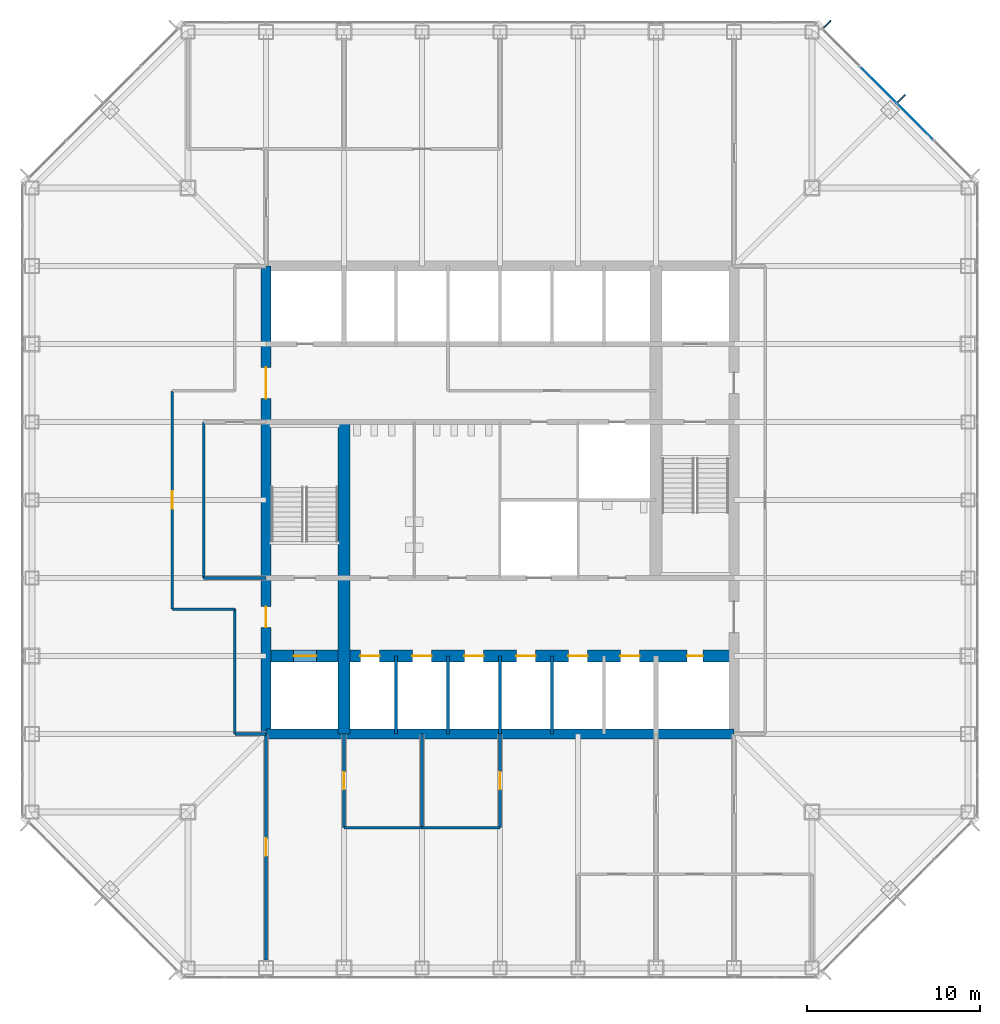
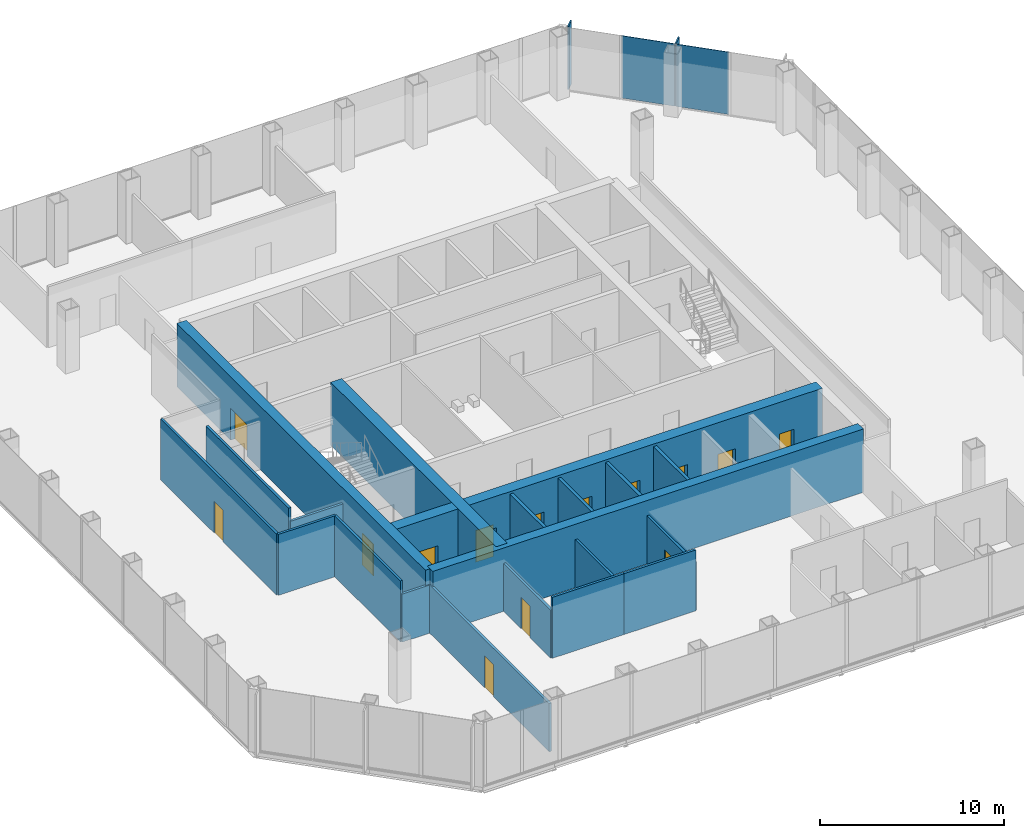
# One storey, part 8 of 12: 20 walls, 14 doors, 4 plates, 14 openings, 1 element without a shape of its own.
"""IFC4 building model written with IfcOpenShell, lengths in metres."""

import ifcopenshell
import ifcopenshell.guid

model = None  # the IFC model being written
_history = None  # IfcOwnerHistory: only IFC2X3 demands one
_inside = {}  # id of a spatial element -> (the spatial element, [elements in it])
_under = {}  # id of a project, library or spatial element -> (it, [spatial elements below it])
_declared = {}  # id of a project -> (the project, [libraries it declares])
_typed = {}  # id of a type object -> (the type object, [elements of that type])
_made_of = {}  # id of a material, layer set ... -> (it, [elements and type objects made of it])


def new_model(schema):
    """Start an empty IFC model of exactly this schema.

    Asked for "IFC4X3", IfcOpenShell would pick the latest addendum, in which some entities
    have other attributes; the version numbers below select the first issue.
    IFC2X3 requires an IfcOwnerHistory on every rooted entity: one is made here for all.
    """
    global model, _history
    if schema == "IFC4X3":
        model = ifcopenshell.file(schema_version=(4, 3, 0, 0))
    else:
        model = ifcopenshell.file(schema=schema)
    _inside.clear()
    _under.clear()
    _declared.clear()
    _typed.clear()
    _made_of.clear()
    _history = None
    if model.schema == "IFC2X3":
        org = make("IfcOrganization", Name="unknown")
        user = make(
            "IfcPersonAndOrganization",
            ThePerson=make("IfcPerson", FamilyName="unknown"),
            TheOrganization=org,
        )
        app = make(
            "IfcApplication",
            ApplicationDeveloper=org,
            Version="unknown",
            ApplicationFullName="unknown",
            ApplicationIdentifier="unknown",
        )
        _history = make(
            "IfcOwnerHistory",
            OwningUser=user,
            OwningApplication=app,
            ChangeAction="ADDED",
            CreationDate=0,
        )
    return model


def make(cls, **values):
    """One entity of the class cls with the attributes given. An attribute that is None is left unset."""
    return model.create_entity(
        cls, **{name: value for name, value in values.items() if value is not None}
    )


def rooted(cls, **values):
    """An entity with a GlobalId (a new one), such as an element, a storey or a relation."""
    return make(cls, GlobalId=ifcopenshell.guid.new(), OwnerHistory=_history, **values)


def si_unit(unit_type, name, prefix=None):
    """IfcSIUnit, for example si_unit("LENGTHUNIT", "METRE", prefix="MILLI")."""
    return make("IfcSIUnit", UnitType=unit_type, Prefix=prefix, Name=name)


def assignment(units):
    """IfcUnitAssignment: the units of a project."""
    return None if units is None else make("IfcUnitAssignment", Units=units)


def point(xyz):
    """IfcCartesianPoint."""
    return None if xyz is None else make("IfcCartesianPoint", Coordinates=xyz)


def direction(xyz):
    """IfcDirection."""
    return None if xyz is None else make("IfcDirection", DirectionRatios=xyz)


def frame(location, z_axis=None, x_axis=None):
    """IfcAxis2Placement3D, a coordinate frame: its origin and axes. An axis left out is left unset."""
    return make(
        "IfcAxis2Placement3D",
        Location=point(location),
        Axis=direction(z_axis),
        RefDirection=direction(x_axis),
    )


def frame_2d(location, x_axis=None):
    """IfcAxis2Placement2D, a coordinate frame in the plane: its origin and x axis."""
    return make(
        "IfcAxis2Placement2D", Location=point(location), RefDirection=direction(x_axis)
    )


def origin():
    """The frame at (0, 0, 0) with its axes left unset."""
    return frame((0.0, 0.0, 0.0))


def origin_2d():
    """The frame at (0, 0) in the plane with its x axis left unset."""
    return frame_2d((0.0, 0.0))


def place(relative_to, where):
    """IfcLocalPlacement: puts the frame where relative to a parent placement (None: the world)."""
    return make(
        "IfcLocalPlacement", PlacementRelTo=relative_to, RelativePlacement=where
    )


def context(
    kind, dimensions, precision=None, world=None, true_north=None, identifier=None
):
    """IfcGeometricRepresentationContext, for example the 3D "Model" context."""
    return make(
        "IfcGeometricRepresentationContext",
        ContextIdentifier=identifier,
        ContextType=kind,
        CoordinateSpaceDimension=dimensions,
        Precision=precision,
        WorldCoordinateSystem=world,
        TrueNorth=true_north,
    )


def subcontext(parent, identifier, kind, view, scale=None):
    """IfcGeometricRepresentationSubContext, for example "Body" below "Model"."""
    return make(
        "IfcGeometricRepresentationSubContext",
        ContextIdentifier=identifier,
        ContextType=kind,
        ParentContext=parent,
        TargetScale=scale,
        TargetView=view,
    )


def project(units=None, contexts=None):
    """IfcProject with its units and contexts."""
    return rooted(
        "IfcProject",
        Name="project",
        RepresentationContexts=contexts,
        UnitsInContext=assignment(units),
    )


def spatial(cls, under=None, at=None, **own):
    """A site, building, storey or space (cls), placed at a placement, below another one or the project."""
    s = rooted(cls, ObjectPlacement=at, **own)
    if under is not None:
        _under.setdefault(under.id(), (under, []))[1].append(s)
    return s


def profile(cls, at=None, kind="AREA", **sizes):
    """A parametric profile (cls). Its sizes go by their IFC names, for example OverallWidth=200.0."""
    return make(cls, ProfileType=kind, Position=at, **sizes)


def rectangle(**sizes):
    """IfcRectangleProfileDef."""
    return profile("IfcRectangleProfileDef", **sizes)


def extrude(swept, where, along, depth):
    """IfcExtrudedAreaSolid: the profile swept, set in the frame where, extruded along a direction by depth."""
    return make(
        "IfcExtrudedAreaSolid",
        SweptArea=swept,
        Position=where,
        ExtrudedDirection=direction(along),
        Depth=depth,
    )


def shape(context_of_items, identifier, shape_type, items):
    """IfcShapeRepresentation: the items that make up one representation, for example the "Body"."""
    return make(
        "IfcShapeRepresentation",
        ContextOfItems=context_of_items,
        RepresentationIdentifier=identifier,
        RepresentationType=shape_type,
        Items=items,
    )


def material(Name=None, Category=None):
    """IfcMaterial."""
    return make("IfcMaterial", Name=Name, Category=Category)


def layer(
    of_material, thickness, ventilated=None, Name=None, Category=None, Priority=None
):
    """IfcMaterialLayer: one layer of a wall or slab, of a material (None: an air gap)."""
    return make(
        "IfcMaterialLayer",
        Material=of_material,
        LayerThickness=thickness,
        IsVentilated=ventilated,
        Name=Name,
        Category=Category,
        Priority=Priority,
    )


def layer_set(layers, Name=None):
    """IfcMaterialLayerSet."""
    return make("IfcMaterialLayerSet", MaterialLayers=layers, LayerSetName=Name)


def made_of(thing, what):
    """Note that an element or type object is made of a material, layer set ...; save() writes the relation."""
    if what is not None:
        _made_of.setdefault(what.id(), (what, []))[1].append(thing)
    return thing


def type_object(cls, material=None, **own):
    """A type object (cls), such as IfcWallType, which elements share."""
    return made_of(rooted(cls, **own), material)


def element(
    cls,
    number,
    at=None,
    inside=None,
    cuts=None,
    type_object=None,
    material=None,
    context=None,
    identifier="Body",
    shape_type=None,
    held_by="IfcProductDefinitionShape",
    body=None,
    shapes=None,
    **own,
):
    """One element of the class cls, such as IfcWall. Its Tag is "e" and its number.

    at: its placement. inside: the storey or other place that contains it. cuts: it is an
    opening in that element (IfcRelVoidsElement). A single representation is given by context,
    identifier, shape_type and body (its items); several are given by shapes. held_by: the class
    of the entity that holds the representations. save() writes the other relations.
    """
    e = rooted(cls, Tag="e%d" % number, ObjectPlacement=at, **own)
    if body is not None:
        shapes = [shape(context, identifier, shape_type, body)]
    if shapes is not None:
        e.Representation = make(held_by, Representations=shapes)
    if inside is not None:
        _inside.setdefault(inside.id(), (inside, []))[1].append(e)
    if cuts is not None:
        rooted(
            "IfcRelVoidsElement", RelatingBuildingElement=cuts, RelatedOpeningElement=e
        )
    if type_object is not None:
        _typed.setdefault(type_object.id(), (type_object, []))[1].append(e)
    return made_of(e, material)


def fill(opening, filler):
    """IfcRelFillsElement: the door or window that sits in an opening."""
    return rooted(
        "IfcRelFillsElement",
        RelatingOpeningElement=opening,
        RelatedBuildingElement=filler,
    )


def aggregate(whole, parts):
    """IfcRelAggregates: a whole, such as a stair, and the parts it consists of."""
    return rooted("IfcRelAggregates", RelatingObject=whole, RelatedObjects=parts)


def save(model, path):
    """Write the relations noted so far, then the file.

    IfcRelAggregates (storeys below a building ...), IfcRelContainedInSpatialStructure (elements
    in a storey), IfcRelDefinesByType, IfcRelAssociatesMaterial and IfcRelDeclares: one each for
    every whole, place, type object, material and project.
    """
    for whole, parts in _under.values():
        aggregate(whole, parts)
    for where, things in _inside.values():
        rooted(
            "IfcRelContainedInSpatialStructure",
            RelatedElements=things,
            RelatingStructure=where,
        )
    for kind, things in _typed.values():
        rooted("IfcRelDefinesByType", RelatedObjects=things, RelatingType=kind)
    for what, things in _made_of.values():
        rooted("IfcRelAssociatesMaterial", RelatedObjects=things, RelatingMaterial=what)
    for by, libraries in _declared.values():
        rooted("IfcRelDeclares", RelatingContext=by, RelatedDefinitions=libraries)
    model.write(path)


model = new_model("IFC4")

# Units and contexts
model_context = context("Model", 3, precision=1e-05, world=origin(), true_north=direction((0.0, 1.0)))
body_context = subcontext(model_context, "Body", "Model", "MODEL_VIEW")
ifc_project = project(units=[si_unit("LENGTHUNIT", "METRE"), si_unit("AREAUNIT", "SQUARE_METRE"), si_unit("VOLUMEUNIT", "CUBIC_METRE"), si_unit("PLANEANGLEUNIT", "RADIAN"), si_unit("MASSUNIT", "GRAM", prefix="KILO")], contexts=[model_context])

# Site, building, storey
site_placement = place(None, origin())
site = spatial("IfcSite", under=ifc_project, at=site_placement, CompositionType="ELEMENT")
building_placement = place(site_placement, origin())
building = spatial("IfcBuilding", under=site, at=building_placement, Name="Corais Broadcast Tower", CompositionType="ELEMENT")
storey_placement = place(building_placement, frame((0.0, 0.0, 50.0)))
storey = spatial("IfcBuildingStorey", under=building, at=storey_placement, Name="L10", CompositionType="ELEMENT", Elevation=50.0)

# Curtain wall, plates
ifc_material_1 = material(Name="Aluminium and glass", Category="aluminium")
curtain_wall_type = type_object("IfcCurtainWallType", Name="Unitised fritted curtain wall CW1", PredefinedType="NOTDEFINED", material=ifc_material_1)
curtain_wall_placement = place(storey_placement, origin())
curtain_wall = element("IfcCurtainWall", 1, at=curtain_wall_placement, inside=storey, type_object=curtain_wall_type, Name="CW1 curtain wall L10 5", PredefinedType="NOTDEFINED")
ifc_material_2 = material(Name="Ceramic-fritted laminated glass", Category="glass")
ifc_layer_1 = layer(ifc_material_2, 0.030029296875)
ifc_layer_set_1 = layer_set([ifc_layer_1], Name="Ceramic-fritted laminated glass")
plate_type_1 = type_object("IfcPlateType", Name="Fritted glass panel CW1", PredefinedType="CURTAIN_PANEL", material=ifc_layer_set_1)
plate_1_placement = place(storey_placement, frame((50.9658203125, 48.81201171875, 0.06494140625), z_axis=(0.0, 0.0, 1.0), x_axis=(0.707106781187, -0.707106781187, 0.0)))
plate_1 = element("IfcPlate", 2, at=plate_1_placement, type_object=plate_type_1, Name="CW1 panel 3", PredefinedType="CURTAIN_PANEL", context=body_context, shape_type="SweptSolid", body=[
    extrude(rectangle(XDim=2.98095703125, YDim=0.030029296875, at=origin_2d()), origin(), (0.0, 0.0, 1.0), 4.135009765625),
])
ifc_material_3 = material(Name="Clear laminated glass", Category="glass")
ifc_layer_2 = layer(ifc_material_3, 0.033935546875)
ifc_layer_set_2 = layer_set([ifc_layer_2], Name="Clear laminated glass")
plate_type_2 = type_object("IfcPlateType", Name="Operable glass panel CW1", PredefinedType="CURTAIN_PANEL", material=ifc_layer_set_2)
plate_2_placement = place(storey_placement, frame((48.81201171875, 50.9658203125, 0.06494140625), z_axis=(0.0, 0.0, 1.0), x_axis=(0.707106781187, -0.707106781187, 0.0)))
plate_2 = element("IfcPlate", 3, at=plate_2_placement, type_object=plate_type_2, Name="CW1 operable panel 2", PredefinedType="CURTAIN_PANEL", context=body_context, shape_type="SweptSolid", body=[
    extrude(rectangle(XDim=2.98095703125, YDim=0.033935546875, at=origin_2d()), origin(), (0.0, 0.0, 1.0), 4.135009765625),
])
aggregate(curtain_wall, [plate_2, plate_1])

# Plates
ifc_material_4 = material(Name="Granite stone cladding", Category="masonry")
ifc_layer_3 = layer(ifc_material_4, 0.080078125)
ifc_layer_set_3 = layer_set([ifc_layer_3], Name="Granite stone cladding")
plate_type_3 = type_object("IfcPlateType", Name="Stone screen fin 80x600", PredefinedType="USERDEFINED", material=ifc_layer_set_3)
for number, where, z_axis, x_axis, name in (
    (4, (45.885009765625, 54.4541015625, 0.0), (0.0, 0.0, 1.0), (0.707106781187, -0.707106781187, 0.0), "SF1 stone screen fin L10"),
    (5, (50.169677734375, 50.169677734375, 0.0), (0.0, 0.0, 1.0), (0.707106781187, -0.707106781187, 0.0), "SF1 stone screen fin L10"),
):
    element("IfcPlate", number, at=place(storey_placement, frame(where, z_axis=z_axis, x_axis=x_axis)), inside=storey, type_object=plate_type_3, Name=name, ObjectType="STONE SCREEN FIN", PredefinedType="USERDEFINED", context=body_context, shape_type="SweptSolid", body=[
        extrude(rectangle(XDim=0.080078125, YDim=0.60009765625, at=origin_2d()), origin(), (0.0, 0.0, 1.0), 4.199951171875),
    ])

# Wall
ifc_material_5 = material(Name="Concrete C50/60", Category="concrete")
ifc_layer_4 = layer(ifc_material_5, 0.699951171875)
ifc_layer_set_4 = layer_set([ifc_layer_4], Name="Concrete C50/60")
wall_type_1 = type_object("IfcWallType", Name="Core spine wall 700", PredefinedType="SHEAR", material=ifc_layer_set_4)
wall_1_placement = place(storey_placement, frame((18.0, 13.5, 0.0), z_axis=(0.0, 0.0, 1.0), x_axis=(0.0, 1.0, 0.0)))
element("IfcWall", 6, at=wall_1_placement, inside=storey, type_object=wall_type_1, Name="CR700 core wall X18A L10", PredefinedType="SHEAR", context=body_context, shape_type="SweptSolid", body=[
    extrude(rectangle(XDim=18.0, YDim=0.699951171875, at=frame_2d((9.0, 0.0))), origin(), (0.0, 0.0, 1.0), 4.199951171875),
])

# Wall, openings, doors
wall_2_placement = place(storey_placement, frame((13.5, 18.0, 0.0), z_axis=(0.0, 0.0, 1.0), x_axis=(1.0, 0.0, 0.0)))
wall_2 = element("IfcWall", 7, at=wall_2_placement, inside=storey, type_object=wall_type_1, Name="CR700 core wall Y18 L10", PredefinedType="SHEAR", context=body_context, shape_type="SweptSolid", body=[
    extrude(rectangle(XDim=27.0, YDim=0.699951171875, at=frame_2d((13.5, 0.0))), origin(), (0.0, 0.0, 1.0), 4.199951171875),
])
opening_1_placement = place(wall_2_placement, frame((24.300048828125, 0.0, 0.0)))
opening_1 = element("IfcOpeningElement", 8, at=opening_1_placement, cuts=wall_2, Name="Opening RD1", PredefinedType="OPENING", context=body_context, shape_type="SweptSolid", body=[
    extrude(rectangle(XDim=0.89990234375, YDim=2.10009765625, at=frame_2d((0.449951171875, 1.050048828125))), frame((0.0, 0.35986328125, 0.0), z_axis=(0.0, -1.0, 0.0), x_axis=(1.0, 0.0, 0.0)), (0.0, 0.0, 1.0), 0.719970703125),
])
opening_2_placement = place(wall_2_placement, frame((5.449951171875, 0.0, 0.0)))
opening_2 = element("IfcOpeningElement", 9, at=opening_2_placement, cuts=wall_2, Name="Opening LD1", PredefinedType="OPENING", context=body_context, shape_type="SweptSolid", body=[
    extrude(rectangle(XDim=1.10009765625, YDim=2.10009765625, at=frame_2d((0.550048828125, 1.050048828125))), frame((0.0, 0.35986328125, 0.0), z_axis=(0.0, -1.0, 0.0), x_axis=(1.0, 0.0, 0.0)), (0.0, 0.0, 1.0), 0.719970703125),
])
opening_3_placement = place(wall_2_placement, frame((8.449951171875, 0.0, 0.0)))
opening_3 = element("IfcOpeningElement", 10, at=opening_3_placement, cuts=wall_2, Name="Opening LD1", PredefinedType="OPENING", context=body_context, shape_type="SweptSolid", body=[
    extrude(rectangle(XDim=1.10009765625, YDim=2.10009765625, at=frame_2d((0.550048828125, 1.050048828125))), frame((0.0, 0.35986328125, 0.0), z_axis=(0.0, -1.0, 0.0), x_axis=(1.0, 0.0, 0.0)), (0.0, 0.0, 1.0), 0.719970703125),
])
opening_4_placement = place(wall_2_placement, frame((11.449951171875, 0.0, 0.0)))
opening_4 = element("IfcOpeningElement", 11, at=opening_4_placement, cuts=wall_2, Name="Opening LD1", PredefinedType="OPENING", context=body_context, shape_type="SweptSolid", body=[
    extrude(rectangle(XDim=1.10009765625, YDim=2.10009765625, at=frame_2d((0.550048828125, 1.050048828125))), frame((0.0, 0.35986328125, 0.0), z_axis=(0.0, -1.0, 0.0), x_axis=(1.0, 0.0, 0.0)), (0.0, 0.0, 1.0), 0.719970703125),
])
opening_5_placement = place(wall_2_placement, frame((14.449951171875, 0.0, 0.0)))
opening_5 = element("IfcOpeningElement", 12, at=opening_5_placement, cuts=wall_2, Name="Opening LD1", PredefinedType="OPENING", context=body_context, shape_type="SweptSolid", body=[
    extrude(rectangle(XDim=1.10009765625, YDim=2.10009765625, at=frame_2d((0.550048828125, 1.050048828125))), frame((0.0, 0.35986328125, 0.0), z_axis=(0.0, -1.0, 0.0), x_axis=(1.0, 0.0, 0.0)), (0.0, 0.0, 1.0), 0.719970703125),
])
opening_6_placement = place(wall_2_placement, frame((17.449951171875, 0.0, 0.0)))
opening_6 = element("IfcOpeningElement", 13, at=opening_6_placement, cuts=wall_2, Name="Opening LD1", PredefinedType="OPENING", context=body_context, shape_type="SweptSolid", body=[
    extrude(rectangle(XDim=1.10009765625, YDim=2.10009765625, at=frame_2d((0.550048828125, 1.050048828125))), frame((0.0, 0.35986328125, 0.0), z_axis=(0.0, -1.0, 0.0), x_axis=(1.0, 0.0, 0.0)), (0.0, 0.0, 1.0), 0.719970703125),
])
opening_7_placement = place(wall_2_placement, frame((20.449951171875, 0.0, 0.0)))
opening_7 = element("IfcOpeningElement", 14, at=opening_7_placement, cuts=wall_2, Name="Opening LD1", PredefinedType="OPENING", context=body_context, shape_type="SweptSolid", body=[
    extrude(rectangle(XDim=1.10009765625, YDim=2.10009765625, at=frame_2d((0.550048828125, 1.050048828125))), frame((0.0, 0.35986328125, 0.0), z_axis=(0.0, -1.0, 0.0), x_axis=(1.0, 0.0, 0.0)), (0.0, 0.0, 1.0), 0.719970703125),
])
opening_8_placement = place(wall_2_placement, frame((1.60009765625, 0.0, 0.0)))
opening_8 = element("IfcOpeningElement", 15, at=opening_8_placement, cuts=wall_2, Name="Opening LD2", PredefinedType="OPENING", context=body_context, shape_type="SweptSolid", body=[
    extrude(rectangle(XDim=1.300048828125, YDim=2.199951171875, at=frame_2d((0.64990234375, 1.10009765625))), frame((0.0, 0.35986328125, 0.0), z_axis=(0.0, -1.0, 0.0), x_axis=(1.0, 0.0, 0.0)), (0.0, 0.0, 1.0), 0.719970703125),
])
ifc_material_6 = material(Name="Stainless steel lift door", Category="steel")
door_type_1 = type_object("IfcDoorType", Name="Lift landing door 1100x2100", OperationType="SLIDING_TO_LEFT", PredefinedType="DOOR", material=ifc_material_6)
door_1_placement = place(opening_2_placement, origin())
door_1 = element("IfcDoor", 16, at=door_1_placement, inside=storey, type_object=door_type_1, Name="LD1 PL1 landing door L10", OperationType="SLIDING_TO_LEFT", OverallHeight=2.10009765625, OverallWidth=1.10009765625, PredefinedType="DOOR", context=body_context, shape_type="SweptSolid", body=[
    extrude(rectangle(XDim=1.10009765625, YDim=2.10009765625, at=frame_2d((0.550048828125, 1.050048828125))), frame((0.0, 0.02490234375, 0.0), z_axis=(0.0, -1.0, 0.0), x_axis=(1.0, 0.0, 0.0)), (0.0, 0.0, 1.0), 0.050048828125),
])
fill(opening_2, door_1)
door_2_placement = place(opening_3_placement, origin())
door_2 = element("IfcDoor", 17, at=door_2_placement, inside=storey, type_object=door_type_1, Name="LD1 PL2 landing door L10", OperationType="SLIDING_TO_LEFT", OverallHeight=2.10009765625, OverallWidth=1.10009765625, PredefinedType="DOOR", context=body_context, shape_type="SweptSolid", body=[
    extrude(rectangle(XDim=1.10009765625, YDim=2.10009765625, at=frame_2d((0.550048828125, 1.050048828125))), frame((0.0, 0.02490234375, 0.0), z_axis=(0.0, -1.0, 0.0), x_axis=(1.0, 0.0, 0.0)), (0.0, 0.0, 1.0), 0.050048828125),
])
fill(opening_3, door_2)
door_3_placement = place(opening_4_placement, origin())
door_3 = element("IfcDoor", 18, at=door_3_placement, inside=storey, type_object=door_type_1, Name="LD1 PL3 landing door L10", OperationType="SLIDING_TO_LEFT", OverallHeight=2.10009765625, OverallWidth=1.10009765625, PredefinedType="DOOR", context=body_context, shape_type="SweptSolid", body=[
    extrude(rectangle(XDim=1.10009765625, YDim=2.10009765625, at=frame_2d((0.550048828125, 1.050048828125))), frame((0.0, 0.02490234375, 0.0), z_axis=(0.0, -1.0, 0.0), x_axis=(1.0, 0.0, 0.0)), (0.0, 0.0, 1.0), 0.050048828125),
])
fill(opening_4, door_3)
door_4_placement = place(opening_5_placement, origin())
door_4 = element("IfcDoor", 19, at=door_4_placement, inside=storey, type_object=door_type_1, Name="LD1 PL4 landing door L10", OperationType="SLIDING_TO_LEFT", OverallHeight=2.10009765625, OverallWidth=1.10009765625, PredefinedType="DOOR", context=body_context, shape_type="SweptSolid", body=[
    extrude(rectangle(XDim=1.10009765625, YDim=2.10009765625, at=frame_2d((0.550048828125, 1.050048828125))), frame((0.0, 0.02490234375, 0.0), z_axis=(0.0, -1.0, 0.0), x_axis=(1.0, 0.0, 0.0)), (0.0, 0.0, 1.0), 0.050048828125),
])
fill(opening_5, door_4)
door_5_placement = place(opening_6_placement, origin())
door_5 = element("IfcDoor", 20, at=door_5_placement, inside=storey, type_object=door_type_1, Name="LD1 PL5 landing door L10", OperationType="SLIDING_TO_LEFT", OverallHeight=2.10009765625, OverallWidth=1.10009765625, PredefinedType="DOOR", context=body_context, shape_type="SweptSolid", body=[
    extrude(rectangle(XDim=1.10009765625, YDim=2.10009765625, at=frame_2d((0.550048828125, 1.050048828125))), frame((0.0, 0.02490234375, 0.0), z_axis=(0.0, -1.0, 0.0), x_axis=(1.0, 0.0, 0.0)), (0.0, 0.0, 1.0), 0.050048828125),
])
fill(opening_6, door_5)
door_6_placement = place(opening_7_placement, origin())
door_6 = element("IfcDoor", 21, at=door_6_placement, inside=storey, type_object=door_type_1, Name="LD1 PL6 landing door L10", OperationType="SLIDING_TO_LEFT", OverallHeight=2.10009765625, OverallWidth=1.10009765625, PredefinedType="DOOR", context=body_context, shape_type="SweptSolid", body=[
    extrude(rectangle(XDim=1.10009765625, YDim=2.10009765625, at=frame_2d((0.550048828125, 1.050048828125))), frame((0.0, 0.02490234375, 0.0), z_axis=(0.0, -1.0, 0.0), x_axis=(1.0, 0.0, 0.0)), (0.0, 0.0, 1.0), 0.050048828125),
])
fill(opening_7, door_6)
ifc_material_7 = material(Name="Stainless steel lift door", Category="steel")
door_type_2 = type_object("IfcDoorType", Name="Lift landing door 1300x2200", OperationType="SLIDING_TO_LEFT", PredefinedType="DOOR", material=ifc_material_7)
door_7_placement = place(opening_8_placement, origin())
door_7 = element("IfcDoor", 22, at=door_7_placement, inside=storey, type_object=door_type_2, Name="LD2 FL1 landing door L10", OperationType="SLIDING_TO_LEFT", OverallHeight=2.199951171875, OverallWidth=1.300048828125, PredefinedType="DOOR", context=body_context, shape_type="SweptSolid", body=[
    extrude(rectangle(XDim=1.300048828125, YDim=2.199951171875, at=frame_2d((0.64990234375, 1.10009765625))), frame((0.0, 0.02490234375, 0.0), z_axis=(0.0, -1.0, 0.0), x_axis=(1.0, 0.0, 0.0)), (0.0, 0.0, 1.0), 0.050048828125),
])
fill(opening_8, door_7)
ifc_material_8 = material(Name="Steel fire door", Category="steel")
door_type_3 = type_object("IfcDoorType", Name="Riser door 900x2100", OperationType="SINGLE_SWING_LEFT", PredefinedType="DOOR", material=ifc_material_8)
door_8_placement = place(opening_1_placement, origin())
door_8 = element("IfcDoor", 23, at=door_8_placement, inside=storey, type_object=door_type_3, Name="RD1 riser door L10", OperationType="SINGLE_SWING_RIGHT", OverallHeight=2.10009765625, OverallWidth=0.89990234375, PredefinedType="DOOR", context=body_context, shape_type="SweptSolid", body=[
    extrude(rectangle(XDim=0.89990234375, YDim=2.10009765625, at=frame_2d((0.449951171875, 1.050048828125))), frame((0.0, 0.02490234375, 0.0), z_axis=(0.0, -1.0, 0.0), x_axis=(1.0, 0.0, 0.0)), (0.0, 0.0, 1.0), 0.050048828125),
])
fill(opening_1, door_8)

# Wall
ifc_material_9 = material(Name="Concrete C50/60", Category="concrete")
ifc_layer_5 = layer(ifc_material_9, 0.60009765625)
ifc_layer_set_5 = layer_set([ifc_layer_5], Name="Concrete C50/60")
wall_type_2 = type_object("IfcWallType", Name="Core wall 600", PredefinedType="SHEAR", material=ifc_layer_set_5)
wall_3_placement = place(storey_placement, frame((13.5, 13.5, 0.0), z_axis=(0.0, 0.0, 1.0), x_axis=(1.0, 0.0, 0.0)))
element("IfcWall", 24, at=wall_3_placement, inside=storey, type_object=wall_type_2, Name="CR600 core wall S L10", PredefinedType="SHEAR", context=body_context, shape_type="SweptSolid", body=[
    extrude(rectangle(XDim=27.0, YDim=0.60009765625, at=frame_2d((13.5, 0.0))), origin(), (0.0, 0.0, 1.0), 4.199951171875),
])

# Wall, openings, doors
wall_4_placement = place(storey_placement, frame((13.5, 40.5, 0.0), z_axis=(0.0, 0.0, 1.0), x_axis=(0.0, -1.0, 0.0)))
wall_4 = element("IfcWall", 25, at=wall_4_placement, inside=storey, type_object=wall_type_2, Name="CR600 core wall W L10", PredefinedType="SHEAR", context=body_context, shape_type="SweptSolid", body=[
    extrude(rectangle(XDim=27.0, YDim=0.60009765625, at=frame_2d((13.5, 0.0))), origin(), (0.0, 0.0, 1.0), 4.199951171875),
])
opening_9_placement = place(wall_4_placement, frame((19.64990234375, 0.0, 0.0)))
opening_9 = element("IfcOpeningElement", 26, at=opening_9_placement, cuts=wall_4, Name="Opening FD1", PredefinedType="OPENING", context=body_context, shape_type="SweptSolid", body=[
    extrude(rectangle(XDim=1.199951171875, YDim=2.10009765625, at=frame_2d((0.60009765625, 1.050048828125))), frame((0.0, 0.31005859375, 0.0), z_axis=(0.0, -1.0, 0.0), x_axis=(1.0, 0.0, 0.0)), (0.0, 0.0, 1.0), 0.6201171875),
])
opening_10_placement = place(wall_4_placement, frame((5.85009765625, 0.0, 0.0)))
opening_10 = element("IfcOpeningElement", 27, at=opening_10_placement, cuts=wall_4, Name="Opening FD2", PredefinedType="OPENING", context=body_context, shape_type="SweptSolid", body=[
    extrude(rectangle(XDim=1.800048828125, YDim=2.10009765625, at=frame_2d((0.89990234375, 1.050048828125))), frame((0.0, 0.31005859375, 0.0), z_axis=(0.0, -1.0, 0.0), x_axis=(1.0, 0.0, 0.0)), (0.0, 0.0, 1.0), 0.6201171875),
])
ifc_material_10 = material(Name="Steel fire door", Category="steel")
door_type_4 = type_object("IfcDoorType", Name="Fire door 1200x2100", OperationType="SINGLE_SWING_LEFT", PredefinedType="DOOR", material=ifc_material_10)
door_9_placement = place(opening_9_placement, origin())
door_9 = element("IfcDoor", 28, at=door_9_placement, inside=storey, type_object=door_type_4, Name="FD1 fire lobby A door L10", OperationType="SINGLE_SWING_RIGHT", OverallHeight=2.10009765625, OverallWidth=1.199951171875, PredefinedType="DOOR", context=body_context, shape_type="SweptSolid", body=[
    extrude(rectangle(XDim=1.199951171875, YDim=2.10009765625, at=frame_2d((0.60009765625, 1.050048828125))), frame((0.0, 0.02490234375, 0.0), z_axis=(0.0, -1.0, 0.0), x_axis=(1.0, 0.0, 0.0)), (0.0, 0.0, 1.0), 0.050048828125),
])
fill(opening_9, door_9)
ifc_material_11 = material(Name="Steel fire door", Category="steel")
door_type_5 = type_object("IfcDoorType", Name="Fire door pair 1800x2100", OperationType="DOUBLE_DOOR_SINGLE_SWING", PredefinedType="DOOR", material=ifc_material_11)
door_10_placement = place(opening_10_placement, origin())
door_10 = element("IfcDoor", 29, at=door_10_placement, inside=storey, type_object=door_type_5, Name="FD2 lift lobby door L10", OperationType="SINGLE_SWING_LEFT", OverallHeight=2.10009765625, OverallWidth=1.800048828125, PredefinedType="DOOR", context=body_context, shape_type="SweptSolid", body=[
    extrude(rectangle(XDim=1.800048828125, YDim=2.10009765625, at=frame_2d((0.89990234375, 1.050048828125))), frame((0.0, 0.02490234375, 0.0), z_axis=(0.0, -1.0, 0.0), x_axis=(1.0, 0.0, 0.0)), (0.0, 0.0, 1.0), 0.050048828125),
])
fill(opening_10, door_10)

# Wall, opening, door
ifc_material_12 = material(Name="Gypsum board on steel studs", Category="steel")
ifc_layer_6 = layer(ifc_material_12, 0.14990234375)
ifc_layer_set_6 = layer_set([ifc_layer_6], Name="Gypsum board on steel studs")
wall_type_3 = type_object("IfcWallType", Name="Partition 150", PredefinedType="PARTITIONING", material=ifc_layer_set_6)
wall_5_placement = place(storey_placement, frame((8.10009765625, 33.300048828125, 0.0), z_axis=(0.0, 0.0, 1.0), x_axis=(0.0, -1.0, 0.0)))
wall_5 = element("IfcWall", 30, at=wall_5_placement, inside=storey, type_object=wall_type_3, Name="IW3 corridor wall L10", PredefinedType="PARTITIONING", context=body_context, shape_type="SweptSolid", body=[
    extrude(rectangle(XDim=12.60009765625, YDim=0.14990234375, at=frame_2d((6.300048828125, 0.0))), origin(), (0.0, 0.0, 1.0), 4.0400390625),
])
opening_11_placement = place(wall_5_placement, frame((5.800048828125, 0.0, 0.0)))
opening_11 = element("IfcOpeningElement", 31, at=opening_11_placement, cuts=wall_5, Name="Opening D1", PredefinedType="OPENING", context=body_context, shape_type="SweptSolid", body=[
    extrude(rectangle(XDim=1.0, YDim=2.10009765625, at=frame_2d((0.5, 1.050048828125))), frame((0.0, 0.0849609375, 0.0), z_axis=(0.0, -1.0, 0.0), x_axis=(1.0, 0.0, 0.0)), (0.0, 0.0, 1.0), 0.169921875),
])
ifc_material_13 = material(Name="Timber door", Category="wood")
door_type_6 = type_object("IfcDoorType", Name="Single door 1000x2100", OperationType="SINGLE_SWING_LEFT", PredefinedType="DOOR", material=ifc_material_13)
door_11_placement = place(opening_11_placement, origin())
door_11 = element("IfcDoor", 32, at=door_11_placement, inside=storey, type_object=door_type_6, Name="D1 workplace door L10", OperationType="SINGLE_SWING_LEFT", OverallHeight=2.10009765625, OverallWidth=1.0, PredefinedType="DOOR", context=body_context, shape_type="SweptSolid", body=[
    extrude(rectangle(XDim=1.0, YDim=2.10009765625, at=frame_2d((0.5, 1.050048828125))), frame((0.0, 0.02490234375, 0.0), z_axis=(0.0, -1.0, 0.0), x_axis=(1.0, 0.0, 0.0)), (0.0, 0.0, 1.0), 0.050048828125),
])
fill(opening_11, door_11)

# Walls
wall_6_placement = place(storey_placement, frame((11.699951171875, 20.699951171875, 0.0), z_axis=(0.0, 0.0, 1.0), x_axis=(0.0, -1.0, 0.0)))
element("IfcWall", 33, at=wall_6_placement, inside=storey, type_object=wall_type_3, Name="IW3 corridor wall L10", PredefinedType="PARTITIONING", context=body_context, shape_type="SweptSolid", body=[
    extrude(rectangle(XDim=7.199951171875, YDim=0.14990234375, at=frame_2d((3.60009765625, 0.0))), origin(), (0.0, 0.0, 1.0), 4.0400390625),
])
wall_7_placement = place(storey_placement, frame((8.10009765625, 20.699951171875, 0.0), z_axis=(0.0, 0.0, 1.0), x_axis=(1.0, 0.0, 0.0)))
element("IfcWall", 34, at=wall_7_placement, inside=storey, type_object=wall_type_3, Name="IW3 corridor wall L10", PredefinedType="PARTITIONING", context=body_context, shape_type="SweptSolid", body=[
    extrude(rectangle(XDim=3.599853515625, YDim=0.14990234375, at=frame_2d((1.7998046875, 0.0))), origin(), (0.0, 0.0, 1.0), 4.0400390625),
])
wall_8_placement = place(storey_placement, frame((11.699951171875, 13.5, 0.0), z_axis=(0.0, 0.0, 1.0), x_axis=(1.0, 0.0, 0.0)))
element("IfcWall", 35, at=wall_8_placement, inside=storey, type_object=wall_type_3, Name="IW3 corridor wall L10", PredefinedType="PARTITIONING", context=body_context, shape_type="SweptSolid", body=[
    extrude(rectangle(XDim=1.81005859375, YDim=0.14990234375, at=frame_2d((0.905029296875, 0.0))), origin(), (0.0, 0.0, 1.0), 3.18896484375),
])
wall_9_placement = place(storey_placement, frame((18.0, 8.10009765625, 0.0), z_axis=(0.0, 0.0, 1.0), x_axis=(1.0, 0.0, 0.0)))
element("IfcWall", 36, at=wall_9_placement, inside=storey, type_object=wall_type_3, Name="IW3 partition L10", PredefinedType="PARTITIONING", context=body_context, shape_type="SweptSolid", body=[
    extrude(rectangle(XDim=4.5, YDim=0.14990234375, at=frame_2d((2.25, 0.0))), origin(), (0.0, 0.0, 1.0), 4.0400390625),
])
wall_10_placement = place(storey_placement, frame((22.5, 8.10009765625, 0.0), z_axis=(0.0, 0.0, 1.0), x_axis=(0.0, 1.0, 0.0)))
element("IfcWall", 37, at=wall_10_placement, inside=storey, type_object=wall_type_3, Name="IW3 partition L10", PredefinedType="PARTITIONING", context=body_context, shape_type="SweptSolid", body=[
    extrude(rectangle(XDim=5.39990234375, YDim=0.14990234375, at=frame_2d((2.699951171875, 0.0))), origin(), (0.0, 0.0, 1.0), 3.18896484375),
])

# Wall, opening, door
wall_11_placement = place(storey_placement, frame((18.0, 13.5, 0.0), z_axis=(0.0, 0.0, 1.0), x_axis=(0.0, -1.0, 0.0)))
wall_11 = element("IfcWall", 38, at=wall_11_placement, inside=storey, type_object=wall_type_3, Name="IW3 partition L10", PredefinedType="PARTITIONING", context=body_context, shape_type="SweptSolid", body=[
    extrude(rectangle(XDim=5.39990234375, YDim=0.14990234375, at=frame_2d((2.699951171875, 0.0))), origin(), (0.0, 0.0, 1.0), 3.18896484375),
])
opening_12_placement = place(wall_11_placement, frame((2.199951171875, 0.0, 0.0)))
opening_12 = element("IfcOpeningElement", 39, at=opening_12_placement, cuts=wall_11, Name="Opening D1", PredefinedType="OPENING", context=body_context, shape_type="SweptSolid", body=[
    extrude(rectangle(XDim=1.0, YDim=2.10009765625, at=frame_2d((0.5, 1.050048828125))), frame((0.0, 0.0849609375, 0.0), z_axis=(0.0, -1.0, 0.0), x_axis=(1.0, 0.0, 0.0)), (0.0, 0.0, 1.0), 0.169921875),
])
door_12_placement = place(opening_12_placement, origin())
door_12 = element("IfcDoor", 40, at=door_12_placement, inside=storey, type_object=door_type_6, Name="D1 Meeting room door", OperationType="SINGLE_SWING_LEFT", OverallHeight=2.10009765625, OverallWidth=1.0, PredefinedType="DOOR", context=body_context, shape_type="SweptSolid", body=[
    extrude(rectangle(XDim=1.0, YDim=2.10009765625, at=frame_2d((0.5, 1.050048828125))), frame((0.0, 0.02490234375, 0.0), z_axis=(0.0, -1.0, 0.0), x_axis=(1.0, 0.0, 0.0)), (0.0, 0.0, 1.0), 0.050048828125),
])
fill(opening_12, door_12)

# Wall
wall_12_placement = place(storey_placement, frame((22.5, 8.10009765625, 0.0), z_axis=(0.0, 0.0, 1.0), x_axis=(1.0, 0.0, 0.0)))
element("IfcWall", 41, at=wall_12_placement, inside=storey, type_object=wall_type_3, Name="IW3 partition L10", PredefinedType="PARTITIONING", context=body_context, shape_type="SweptSolid", body=[
    extrude(rectangle(XDim=4.5, YDim=0.14990234375, at=frame_2d((2.25, 0.0))), origin(), (0.0, 0.0, 1.0), 4.0400390625),
])

# Wall, opening, door
wall_13_placement = place(storey_placement, frame((27.0, 8.10009765625, 0.0), z_axis=(0.0, 0.0, 1.0), x_axis=(0.0, 1.0, 0.0)))
wall_13 = element("IfcWall", 42, at=wall_13_placement, inside=storey, type_object=wall_type_3, Name="IW3 partition L10", PredefinedType="PARTITIONING", context=body_context, shape_type="SweptSolid", body=[
    extrude(rectangle(XDim=5.39990234375, YDim=0.14990234375, at=frame_2d((2.699951171875, 0.0))), origin(), (0.0, 0.0, 1.0), 3.18896484375),
])
opening_13_placement = place(wall_13_placement, frame((2.199951171875, 0.0, 0.0)))
opening_13 = element("IfcOpeningElement", 43, at=opening_13_placement, cuts=wall_13, Name="Opening D1", PredefinedType="OPENING", context=body_context, shape_type="SweptSolid", body=[
    extrude(rectangle(XDim=1.0, YDim=2.10009765625, at=frame_2d((0.5, 1.050048828125))), frame((0.0, 0.0849609375, 0.0), z_axis=(0.0, -1.0, 0.0), x_axis=(1.0, 0.0, 0.0)), (0.0, 0.0, 1.0), 0.169921875),
])
door_13_placement = place(opening_13_placement, origin())
door_13 = element("IfcDoor", 44, at=door_13_placement, inside=storey, type_object=door_type_6, Name="D1 Meeting room door", OperationType="SINGLE_SWING_LEFT", OverallHeight=2.10009765625, OverallWidth=1.0, PredefinedType="DOOR", context=body_context, shape_type="SweptSolid", body=[
    extrude(rectangle(XDim=1.0, YDim=2.10009765625, at=frame_2d((0.5, 1.050048828125))), frame((0.0, 0.02490234375, 0.0), z_axis=(0.0, -1.0, 0.0), x_axis=(1.0, 0.0, 0.0)), (0.0, 0.0, 1.0), 0.050048828125),
])
fill(opening_13, door_13)

# Walls
wall_14_placement = place(storey_placement, frame((9.89990234375, 22.5, 0.0), z_axis=(0.0, 0.0, 1.0), x_axis=(1.0, 0.0, 0.0)))
element("IfcWall", 45, at=wall_14_placement, inside=storey, type_object=wall_type_3, Name="IW3 partition L10", PredefinedType="PARTITIONING", context=body_context, shape_type="SweptSolid", body=[
    extrude(rectangle(XDim=3.60009765625, YDim=0.14990234375, at=frame_2d((1.800048828125, 0.0))), origin(), (0.0, 0.0, 1.0), 3.18896484375),
])
wall_15_placement = place(storey_placement, frame((9.89990234375, 31.5, 0.0), z_axis=(0.0, 0.0, 1.0), x_axis=(0.0, -1.0, 0.0)))
element("IfcWall", 46, at=wall_15_placement, inside=storey, type_object=wall_type_3, Name="IW3 partition L10", PredefinedType="PARTITIONING", context=body_context, shape_type="SweptSolid", body=[
    extrude(rectangle(XDim=9.0, YDim=0.14990234375, at=frame_2d((4.5, 0.0))), origin(), (0.0, 0.0, 1.0), 4.0400390625),
])

# Wall, opening, door
wall_16_placement = place(storey_placement, frame((13.5, 0.445068359375, 0.0), z_axis=(0.0, 0.0, 1.0), x_axis=(0.0, 1.0, 0.0)))
wall_16 = element("IfcWall", 47, at=wall_16_placement, inside=storey, type_object=wall_type_3, Name="IW3 partition L10", PredefinedType="PARTITIONING", context=body_context, shape_type="SweptSolid", body=[
    extrude(rectangle(XDim=13.054931640625, YDim=0.14990234375, at=frame_2d((6.52734375, 0.0))), origin(), (0.0, 0.0, 1.0), 3.18896484375),
])
opening_14_placement = place(wall_16_placement, frame((6.027587890625, 0.0, 0.0)))
opening_14 = element("IfcOpeningElement", 48, at=opening_14_placement, cuts=wall_16, Name="Opening D1", PredefinedType="OPENING", context=body_context, shape_type="SweptSolid", body=[
    extrude(rectangle(XDim=1.0, YDim=2.10009765625, at=frame_2d((0.5, 1.050048828125))), frame((0.0, 0.0849609375, 0.0), z_axis=(0.0, -1.0, 0.0), x_axis=(1.0, 0.0, 0.0)), (0.0, 0.0, 1.0), 0.169921875),
])
door_14_placement = place(opening_14_placement, origin())
door_14 = element("IfcDoor", 49, at=door_14_placement, inside=storey, type_object=door_type_6, Name="D1 team room door L10", OperationType="SINGLE_SWING_LEFT", OverallHeight=2.10009765625, OverallWidth=1.0, PredefinedType="DOOR", context=body_context, shape_type="SweptSolid", body=[
    extrude(rectangle(XDim=1.0, YDim=2.10009765625, at=frame_2d((0.5, 1.050048828125))), frame((0.0, 0.02490234375, 0.0), z_axis=(0.0, -1.0, 0.0), x_axis=(1.0, 0.0, 0.0)), (0.0, 0.0, 1.0), 0.050048828125),
])
fill(opening_14, door_14)

# Walls
ifc_material_14 = material(Name="Concrete blockwork class A, grouted, two-hour", Category="masonry")
ifc_layer_7 = layer(ifc_material_14, 0.199951171875)
ifc_layer_set_7 = layer_set([ifc_layer_7], Name="Concrete blockwork class A, grouted, two-hour")
wall_type_4 = type_object("IfcWallType", Name="Shaft wall 200", PredefinedType="PARTITIONING", material=ifc_layer_set_7)
for number, where, z_axis, x_axis, name in (
    (50, (21.0, 13.5, 0.0), (0.0, 0.0, 1.0), (0.0, 1.0, 0.0), "IW1 shaft wall L10"),
    (51, (24.0, 13.5, 0.0), (0.0, 0.0, 1.0), (0.0, 1.0, 0.0), "IW1 shaft wall L10"),
    (52, (27.0, 13.5, 0.0), (0.0, 0.0, 1.0), (0.0, 1.0, 0.0), "IW1 shaft wall L10"),
    (53, (30.0, 13.5, 0.0), (0.0, 0.0, 1.0), (0.0, 1.0, 0.0), "IW1 shaft wall L10"),
):
    element("IfcWall", number, at=place(storey_placement, frame(where, z_axis=z_axis, x_axis=x_axis)), inside=storey, type_object=wall_type_4, Name=name, PredefinedType="PARTITIONING", context=body_context, shape_type="SweptSolid", body=[
        extrude(rectangle(XDim=4.5, YDim=0.199951171875, at=frame_2d((2.25, 0.0))), origin(), (0.0, 0.0, 1.0), 4.0400390625),
    ])

save(model, "model.ifc")
